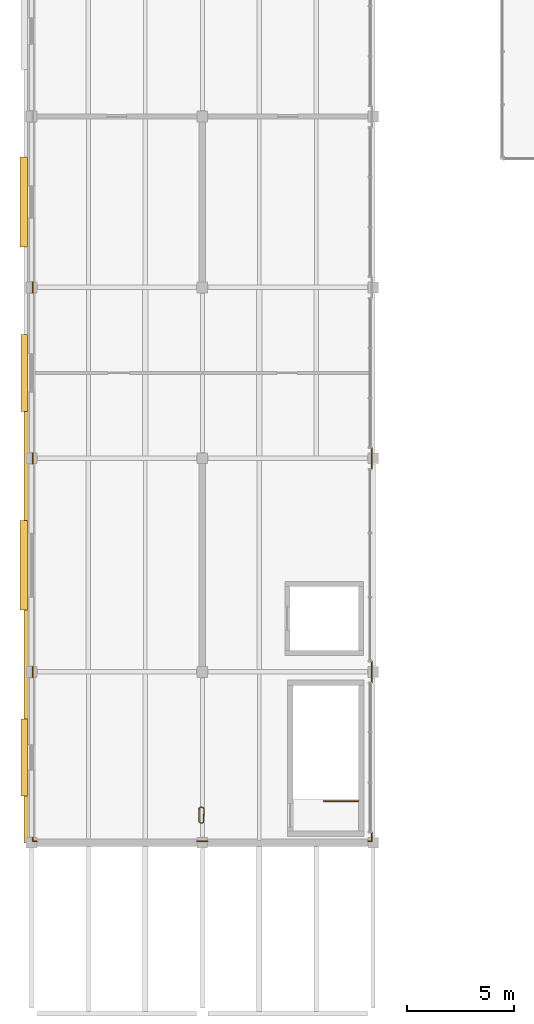
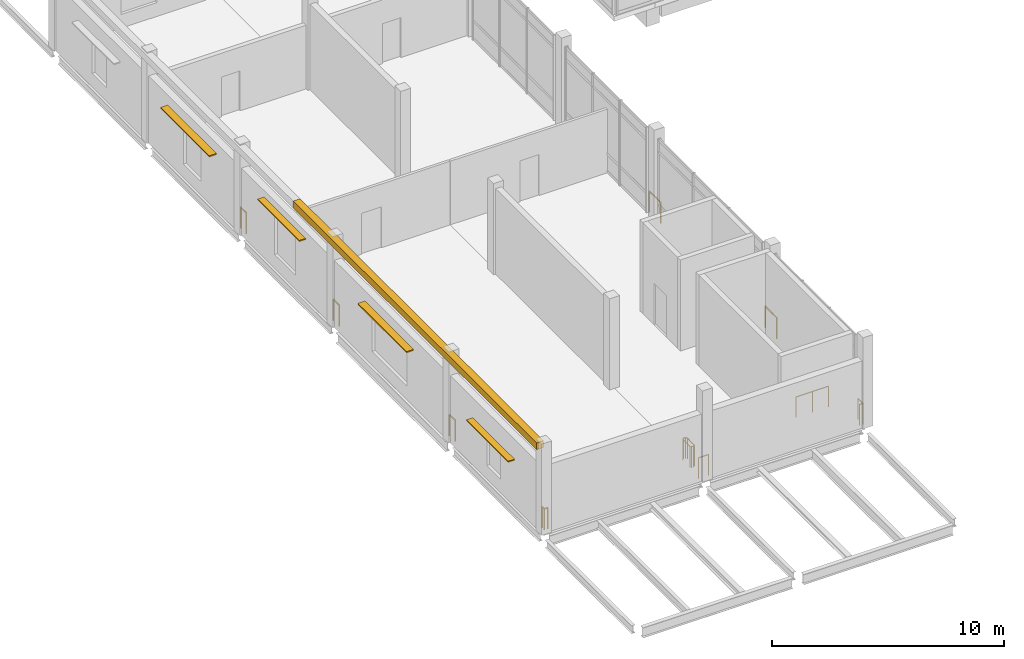
# One storey, part 23 of 28: 11 railings, 4 shading devices, 1 covering.
"""IFC4 building model written with IfcOpenShell, lengths in metres."""

from ifc_helpers import new_model, si_unit, direction, frame, origin, origin_2d, place, context, subcontext, project, spatial, polyline, rectangle, circle, outline, extrude, material, layer, layer_set, type_object, element, save


model = new_model("IFC4")

# Units and contexts
model_context = context("Model", 3, precision=1e-05, world=origin(), true_north=direction((0.0, 1.0)))
body_context = subcontext(model_context, "Body", "Model", "MODEL_VIEW")
ifc_project = project(units=[si_unit("LENGTHUNIT", "METRE"), si_unit("AREAUNIT", "SQUARE_METRE"), si_unit("VOLUMEUNIT", "CUBIC_METRE"), si_unit("PLANEANGLEUNIT", "RADIAN"), si_unit("MASSUNIT", "GRAM", prefix="KILO")], contexts=[model_context])

# Site, building, storey
site_placement = place(None, origin())
site = spatial("IfcSite", under=ifc_project, at=site_placement, CompositionType="ELEMENT")
building_placement = place(site_placement, origin())
building = spatial("IfcBuilding", under=site, at=building_placement, Name="Pecanmere Concourse Central Library", CompositionType="ELEMENT")
storey_placement = place(building_placement, frame((0.0, 0.0, 20.10009765625)))
storey = spatial("IfcBuildingStorey", under=building, at=storey_placement, Name="L05", CompositionType="ELEMENT", Elevation=20.10009765625)

# Covering
ifc_material_1 = material(Name="Texas cream limestone ashlar masonry", Category="masonry")
ifc_layer = layer(ifc_material_1, 0.06005859375, Name="COV_CLAD_CORNICE")
ifc_layer_set = layer_set([ifc_layer], Name="Texas cream limestone ashlar masonry")
covering_type = type_object("IfcCoveringType", Name="COV_CLAD_CORNICE", PredefinedType="CLADDING", material=ifc_layer_set)
covering_placement = place(storey_placement, frame((0.0, 0.0, 4.39990234375)))
element("IfcCovering", 1, at=covering_placement, inside=storey, type_object=covering_type, Name="Classical Entablature Cornice 07", PredefinedType="CLADDING", context=body_context, shape_type="SweptSolid", body=[
    extrude(outline(polyline([(47.64990234375, 56.0), (48.0, 56.0), (48.0, 77.0), (47.64990234375, 77.0), (47.64990234375, 56.0)])), origin(), (0.0, 0.0, 1.0), 0.35009765625),
])

# Railings
ifc_material_2 = material(Name="Architectural anodized bronze")
railing_type_1 = type_object("IfcRailingType", Name="RAIL_ATRIUM_BAL", PredefinedType="BALUSTRADE", material=ifc_material_2)
railing_1_placement = place(storey_placement, frame((48.070068359375, 56.070068359375, 0.0)))
element("IfcRailing", 2, at=railing_1_placement, inside=storey, type_object=railing_type_1, Name="Deck Edge Protective Balustrade L05-214", PredefinedType="BALUSTRADE", context=body_context, shape_type="SweptSolid", body=[
    extrude(circle(Radius=0.02392578125, at=origin_2d()), frame((0.0, 0.0, 1.09619140625), z_axis=(0.0, 1.0, 0.0), x_axis=(-1.0, 0.0, 0.0)), (0.0, 0.0, 1.0), 0.175048828125),
    extrude(circle(Radius=0.02099609375, at=origin_2d()), origin(), (0.0, 0.0, 1.0), 1.072021484375),
    extrude(circle(Radius=0.02099609375, at=origin_2d()), frame((0.0, 0.175048828125, 0.0)), (0.0, 0.0, 1.0), 1.072021484375),
])
for number, where, name in (
    (3, (48.070068359375, 63.7548828125, 0.0), "Deck Edge Protective Balustrade L05-215"),
    (4, (48.070068359375, 73.7548828125, 0.0), "Deck Edge Protective Balustrade L05-216"),
    (5, (48.070068359375, 81.7548828125, 0.0), "Deck Edge Protective Balustrade L05-217"),
):
    element("IfcRailing", number, at=place(storey_placement, frame(where)), inside=storey, type_object=railing_type_1, Name=name, PredefinedType="BALUSTRADE", context=body_context, shape_type="SweptSolid", body=[
        extrude(circle(Radius=0.02392578125, at=origin_2d()), frame((0.0, 0.0, 1.09619140625), z_axis=(0.0, 1.0, 0.0), x_axis=(-1.0, 0.0, 0.0)), (0.0, 0.0, 1.0), 0.490234375),
        extrude(circle(Radius=0.02099609375, at=origin_2d()), origin(), (0.0, 0.0, 1.0), 1.072021484375),
        extrude(circle(Radius=0.02099609375, at=origin_2d()), frame((0.0, 0.490234375, 0.0)), (0.0, 0.0, 1.0), 1.072021484375),
    ])
for number, where, name in (
    (6, (63.929931640625, 74.47998046875, 0.0), "Deck Edge Protective Balustrade L05-224"),
    (7, (63.929931640625, 64.47998046875, 0.0), "Deck Edge Protective Balustrade L05-225"),
):
    element("IfcRailing", number, at=place(storey_placement, frame(where)), inside=storey, type_object=railing_type_1, Name=name, PredefinedType="BALUSTRADE", context=body_context, shape_type="SweptSolid", body=[
        extrude(circle(Radius=0.02392578125, at=origin_2d()), frame((0.0, 0.0, 1.09619140625), z_axis=(0.0, -1.0, 0.0), x_axis=(1.0, 0.0, 0.0)), (0.0, 0.0, 1.0), 0.9599609375),
        extrude(circle(Radius=0.02099609375, at=origin_2d()), origin(), (0.0, 0.0, 1.0), 1.072021484375),
        extrude(circle(Radius=0.02099609375, at=origin_2d()), frame((0.0, -0.9599609375, 0.0)), (0.0, 0.0, 1.0), 1.072021484375),
    ])
railing_2_placement = place(storey_placement, frame((63.929931640625, 56.47998046875, 0.0)))
element("IfcRailing", 8, at=railing_2_placement, inside=storey, type_object=railing_type_1, Name="Deck Edge Protective Balustrade L05-226", PredefinedType="BALUSTRADE", context=body_context, shape_type="SweptSolid", body=[
    extrude(circle(Radius=0.02392578125, at=origin_2d()), frame((0.0, 0.0, 1.09619140625), z_axis=(0.0, -1.0, 0.0), x_axis=(1.0, 0.0, 0.0)), (0.0, 0.0, 1.0), 0.40966796875),
    extrude(circle(Radius=0.02392578125, at=origin_2d()), frame((0.0, -0.40966796875, 1.09619140625), z_axis=(-1.0, 0.0, 0.0), x_axis=(0.0, -1.0, 0.0)), (0.0, 0.0, 1.0), 0.175048828125),
    extrude(circle(Radius=0.02099609375, at=origin_2d()), origin(), (0.0, 0.0, 1.0), 1.072021484375),
    extrude(circle(Radius=0.02099609375, at=origin_2d()), frame((0.0, -0.40966796875, 0.0)), (0.0, 0.0, 1.0), 1.072021484375),
    extrude(circle(Radius=0.02099609375, at=origin_2d()), frame((-0.175048828125, -0.40966796875, 0.0)), (0.0, 0.0, 1.0), 1.072021484375),
])
railing_3_placement = place(storey_placement, frame((56.2451171875, 56.070068359375, 0.0)))
element("IfcRailing", 9, at=railing_3_placement, inside=storey, type_object=railing_type_1, Name="Deck Edge Protective Balustrade L05-227", PredefinedType="BALUSTRADE", context=body_context, shape_type="SweptSolid", body=[
    extrude(circle(Radius=0.02392578125, at=origin_2d()), frame((0.0, 0.0, 1.09619140625), z_axis=(-1.0, 0.0, 0.0), x_axis=(0.0, -1.0, 0.0)), (0.0, 0.0, 1.0), 0.490234375),
    extrude(circle(Radius=0.02099609375, at=origin_2d()), origin(), (0.0, 0.0, 1.0), 1.072021484375),
    extrude(circle(Radius=0.02099609375, at=origin_2d()), frame((-0.490234375, 0.0, 0.0)), (0.0, 0.0, 1.0), 1.072021484375),
])
railing_4_placement = place(storey_placement, frame((48.2451171875, 56.070068359375, 0.0)))
element("IfcRailing", 10, at=railing_4_placement, inside=storey, type_object=railing_type_1, Name="Deck Edge Protective Balustrade L05-228", PredefinedType="BALUSTRADE", context=body_context, shape_type="SweptSolid", body=[
    extrude(circle(Radius=0.02392578125, at=origin_2d()), frame((0.0, 0.0, 1.09619140625), z_axis=(-1.0, 0.0, 0.0), x_axis=(0.0, -1.0, 0.0)), (0.0, 0.0, 1.0), 0.175048828125),
    extrude(circle(Radius=0.02099609375, at=origin_2d()), origin(), (0.0, 0.0, 1.0), 1.072021484375),
    extrude(circle(Radius=0.02099609375, at=origin_2d()), frame((-0.175048828125, 0.0, 0.0)), (0.0, 0.0, 1.0), 1.072021484375),
])
railing_5_placement = place(storey_placement, frame((55.996826171875, 56.930419921875, 0.0)))
element("IfcRailing", 11, at=railing_5_placement, inside=storey, type_object=railing_type_1, Name="Deck Edge Protective Balustrade L05-229", PredefinedType="BALUSTRADE", context=body_context, shape_type="SweptSolid", body=[
    extrude(circle(Radius=0.02392578125, at=origin_2d()), frame((0.0, 0.0, 1.09619140625), z_axis=(0.806311430369, 0.591491231767, 0.0), x_axis=(-0.591491231767, 0.806311430369, 0.0)), (0.0, 0.0, 1.0), 0.0830078125),
    extrude(circle(Radius=0.02392578125, at=origin_2d()), frame((0.06689453125, 0.049072265625, 1.09619140625), z_axis=(0.009489489668, 0.999954973779, 0.0), x_axis=(-0.999954973779, 0.009489489668, 0.0)), (0.0, 0.0, 1.0), 0.617431640625),
    extrude(circle(Radius=0.02392578125, at=origin_2d()), frame((0.07275390625, 0.66650390625, 1.09619140625), z_axis=(-0.591491231767, 0.806311430369, 0.0), x_axis=(-0.806311430369, -0.591491231767, 0.0)), (0.0, 0.0, 1.0), 0.0830078125),
    extrude(circle(Radius=0.02392578125, at=origin_2d()), frame((0.023681640625, 0.7333984375, 1.09619140625), z_axis=(-0.998195860289, 0.060041856258, 0.0), x_axis=(-0.060041856258, -0.998195860289, 0.0)), (0.0, 0.0, 1.0), 0.09765625),
    extrude(circle(Radius=0.02392578125, at=origin_2d()), frame((-0.07373046875, 0.7392578125, 1.09619140625), z_axis=(-0.806311430369, -0.591491231767, 0.0), x_axis=(0.591491231767, -0.806311430369, 0.0)), (0.0, 0.0, 1.0), 0.0830078125),
    extrude(circle(Radius=0.02392578125, at=origin_2d()), frame((-0.140625, 0.690185546875, 1.09619140625), z_axis=(-0.009489489668, -0.999954973779, 0.0), x_axis=(0.999954973779, -0.009489489668, 0.0)), (0.0, 0.0, 1.0), 0.617431640625),
    extrude(circle(Radius=0.02392578125, at=origin_2d()), frame((-0.146484375, 0.07275390625, 1.09619140625), z_axis=(0.591491231767, -0.806311430369, 0.0), x_axis=(0.806311430369, 0.591491231767, 0.0)), (0.0, 0.0, 1.0), 0.0830078125),
    extrude(circle(Radius=0.02392578125, at=origin_2d()), frame((-0.097412109375, 0.005859375, 1.09619140625), z_axis=(0.998195860289, -0.060041856258, 0.0), x_axis=(0.060041856258, 0.998195860289, 0.0)), (0.0, 0.0, 1.0), 0.09765625),
    extrude(circle(Radius=0.02099609375, at=origin_2d()), origin(), (0.0, 0.0, 1.0), 1.072021484375),
    extrude(circle(Radius=0.02099609375, at=origin_2d()), frame((0.06689453125, 0.049072265625, 0.0)), (0.0, 0.0, 1.0), 1.072021484375),
    extrude(circle(Radius=0.02099609375, at=origin_2d()), frame((0.07275390625, 0.66650390625, 0.0)), (0.0, 0.0, 1.0), 1.072021484375),
    extrude(circle(Radius=0.02099609375, at=origin_2d()), frame((0.023681640625, 0.7333984375, 0.0)), (0.0, 0.0, 1.0), 1.072021484375),
    extrude(circle(Radius=0.02099609375, at=origin_2d()), frame((-0.07373046875, 0.7392578125, 0.0)), (0.0, 0.0, 1.0), 1.072021484375),
    extrude(circle(Radius=0.02099609375, at=origin_2d()), frame((-0.140625, 0.690185546875, 0.0)), (0.0, 0.0, 1.0), 1.072021484375),
    extrude(circle(Radius=0.02099609375, at=origin_2d()), frame((-0.146484375, 0.07275390625, 0.0)), (0.0, 0.0, 1.0), 1.072021484375),
    extrude(circle(Radius=0.02099609375, at=origin_2d()), frame((-0.097412109375, 0.005859375, 0.0)), (0.0, 0.0, 1.0), 1.072021484375),
])
ifc_material_3 = material(Name="Painted architectural steel ASTM A36", Category="steel")
railing_type_2 = type_object("IfcRailingType", Name="RAIL_STAIR_GUARD", PredefinedType="GUARDRAIL", material=ifc_material_3)
railing_6_placement = place(storey_placement, frame((63.300048828125, 57.949951171875, 0.0)))
element("IfcRailing", 12, at=railing_6_placement, inside=storey, type_object=railing_type_2, Name="L05 ST-06 Top Well Guard 1", PredefinedType="GUARDRAIL", context=body_context, shape_type="SweptSolid", body=[
    extrude(circle(Radius=0.02392578125, at=origin_2d()), frame((0.0, 0.0, 1.076171875), z_axis=(-1.0, 0.0, 0.0), x_axis=(0.0, -1.0, 0.0)), (0.0, 0.0, 1.0), 1.610107421875),
    extrude(circle(Radius=0.02099609375, at=origin_2d()), origin(), (0.0, 0.0, 1.0), 1.052001953125),
    extrude(circle(Radius=0.02099609375, at=origin_2d()), frame((-0.80517578125, 0.0, 0.0)), (0.0, 0.0, 1.0), 1.052001953125),
    extrude(circle(Radius=0.02099609375, at=origin_2d()), frame((-1.610107421875, 0.0, 0.0)), (0.0, 0.0, 1.0), 1.052001953125),
])

# Shading devices
ifc_material_4 = material(Name="Architectural anodized bronze")
shading_device_type_1 = type_object("IfcShadingDeviceType", Name="SHD_BRISE_1", PredefinedType="AWNING", material=ifc_material_4)
for number, where, z_axis, x_axis, name in (
    (13, (47.64501953125, 69.0, 2.949951171875), (0.0, 0.0, 1.0), (0.0, -1.0, 0.0), "Bronze Solar Brise-Soleil L05-066"),
    (14, (47.64501953125, 86.0, 2.949951171875), (0.0, 0.0, 1.0), (0.0, -1.0, 0.0), "Bronze Solar Brise-Soleil L05-068"),
):
    element("IfcShadingDevice", number, at=place(storey_placement, frame(where, z_axis=z_axis, x_axis=x_axis)), inside=storey, type_object=shading_device_type_1, Name=name, PredefinedType="AWNING", context=body_context, shape_type="SweptSolid", body=[
        extrude(rectangle(XDim=4.199951171875, YDim=0.360107421875, at=origin_2d()), origin(), (0.0, 0.0, 1.0), 0.06005859375),
    ])
ifc_material_5 = material(Name="Architectural anodized bronze")
shading_device_type_2 = type_object("IfcShadingDeviceType", Name="SHD_BRISE_2", PredefinedType="AWNING", material=ifc_material_5)
for number, where, z_axis, x_axis, name in (
    (15, (47.6650390625, 60.0, 2.45263671875), (0.0, 0.0, 1.0), (0.0, -1.0, 0.0), "Bronze Solar Brise-Soleil L05-065"),
    (16, (47.6650390625, 78.0, 3.15234375), (0.0, 0.0, 1.0), (0.0, -1.0, 0.0), "Bronze Solar Brise-Soleil L05-067"),
):
    element("IfcShadingDevice", number, at=place(storey_placement, frame(where, z_axis=z_axis, x_axis=x_axis)), inside=storey, type_object=shading_device_type_2, Name=name, PredefinedType="AWNING", context=body_context, shape_type="SweptSolid", body=[
        extrude(rectangle(XDim=3.60009765625, YDim=0.320068359375, at=origin_2d()), origin(), (0.0, 0.0, 1.0), 0.054931640625),
    ])

save(model, "model.ifc")
